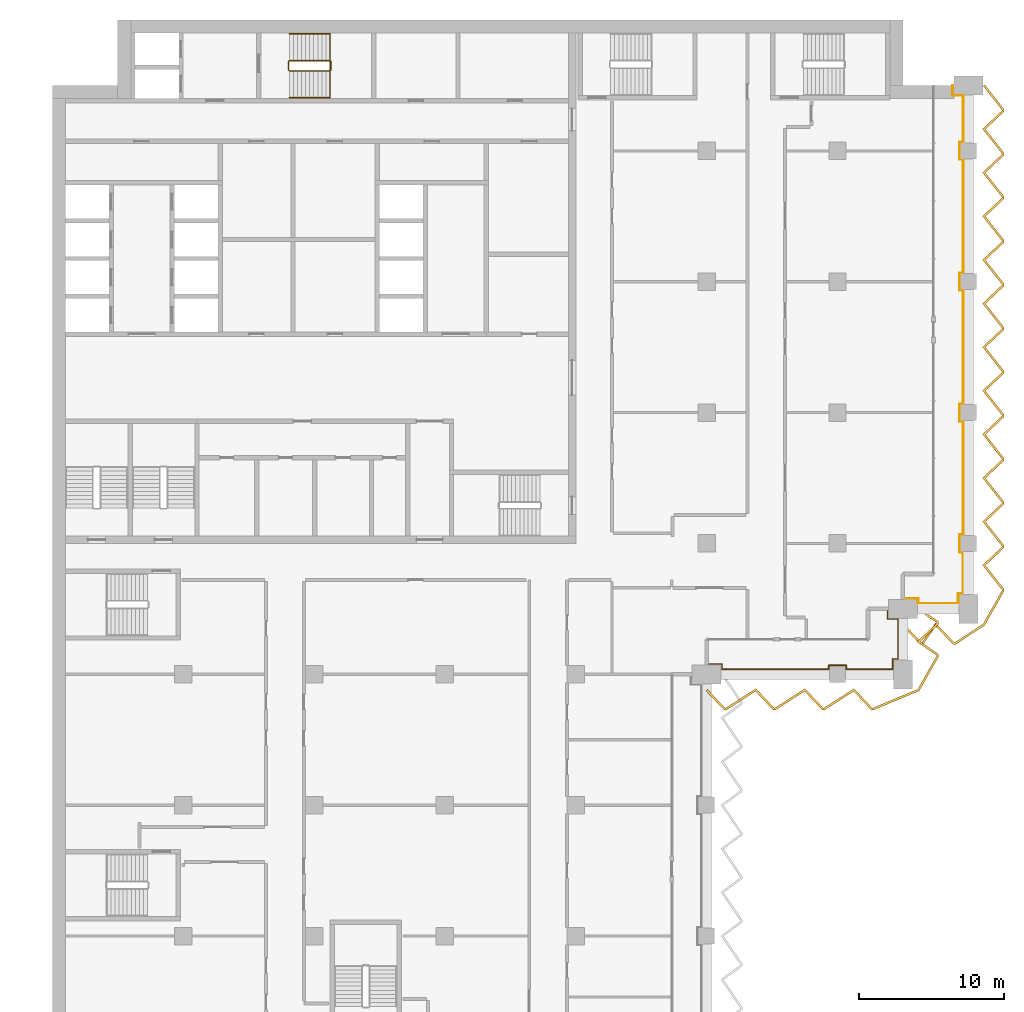
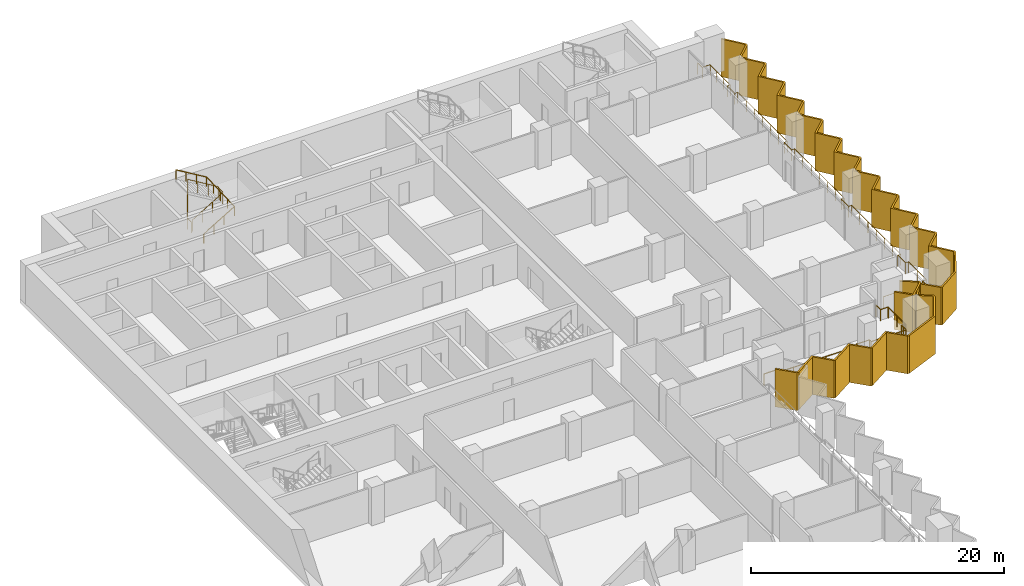
# One storey, part 21 of 22: 4 railings, 2 shading devices.
"""IFC4 building model written with IfcOpenShell, lengths in metres."""

from ifc_helpers import new_model, si_unit, direction, frame, origin, origin_2d, place, context, subcontext, project, spatial, polyline, circle, outline, extrude, material, layer, layer_set, type_object, element, save


model = new_model("IFC4")

# Units and contexts
model_context = context("Model", 3, precision=1e-05, world=origin(), true_north=direction((0.0, 1.0)))
body_context = subcontext(model_context, "Body", "Model", "MODEL_VIEW")
ifc_project = project(units=[si_unit("LENGTHUNIT", "METRE"), si_unit("AREAUNIT", "SQUARE_METRE"), si_unit("VOLUMEUNIT", "CUBIC_METRE"), si_unit("PLANEANGLEUNIT", "RADIAN"), si_unit("MASSUNIT", "GRAM", prefix="KILO")], contexts=[model_context])

# Site, building, storey
site_placement = place(None, origin())
site = spatial("IfcSite", under=ifc_project, at=site_placement, CompositionType="ELEMENT")
building_placement = place(site_placement, origin())
building = spatial("IfcBuilding", under=site, at=building_placement, Name="Hunhe Ridgeline Campus", CompositionType="ELEMENT")
storey_placement = place(building_placement, frame((0.0, 0.0, 141.199951171875)))
storey = spatial("IfcBuildingStorey", under=building, at=storey_placement, Name="L35", CompositionType="ELEMENT", Elevation=141.199951171875)

# Railings
ifc_material_1 = material(Name="Steel Q355", Category="steel")
railing_type_1 = type_object("IfcRailingType", Name="Loggia guard 1100 Steel Q355", PredefinedType="GUARDRAIL", material=ifc_material_1)
railing_1_placement = place(storey_placement, frame((45.0, 54.719970703125, 0.0)))
element("IfcRailing", 1, at=railing_1_placement, inside=storey, type_object=railing_type_1, Name="Loggia guard 2", PredefinedType="GUARDRAIL", context=body_context, shape_type="SweptSolid", body=[
    extrude(circle(Radius=0.02392578125, at=origin_2d()), frame((0.0, 0.0, 1.076171875), z_axis=(1.0, 0.0, 0.0), x_axis=(0.0, 1.0, 0.0)), (0.0, 0.0, 1.0), 1.050048828125),
    extrude(circle(Radius=0.02392578125, at=origin_2d()), frame((1.050048828125, 0.0, 1.076171875), z_axis=(0.0, -1.0, 0.0), x_axis=(1.0, 0.0, 0.0)), (0.0, 0.0, 1.0), 0.369873046875),
    extrude(circle(Radius=0.02392578125, at=origin_2d()), frame((1.050048828125, -0.369873046875, 1.076171875), z_axis=(1.0, 0.0, 0.0), x_axis=(0.0, 1.0, 0.0)), (0.0, 0.0, 1.0), 7.349853515625),
    extrude(circle(Radius=0.02392578125, at=origin_2d()), frame((8.39990234375, -0.369873046875, 1.076171875), z_axis=(0.0, 1.0, 0.0), x_axis=(-1.0, 0.0, 0.0)), (0.0, 0.0, 1.0), 0.27001953125),
    extrude(circle(Radius=0.02392578125, at=origin_2d()), frame((8.39990234375, -0.099853515625, 1.076171875), z_axis=(1.0, 0.0, 0.0), x_axis=(0.0, 1.0, 0.0)), (0.0, 0.0, 1.0), 1.2001953125),
    extrude(circle(Radius=0.02392578125, at=origin_2d()), frame((9.60009765625, -0.099853515625, 1.076171875), z_axis=(0.0, -1.0, 0.0), x_axis=(1.0, 0.0, 0.0)), (0.0, 0.0, 1.0), 0.27001953125),
    extrude(circle(Radius=0.02392578125, at=origin_2d()), frame((9.60009765625, -0.369873046875, 1.076171875), z_axis=(1.0, 0.0, 0.0), x_axis=(0.0, 1.0, 0.0)), (0.0, 0.0, 1.0), 3.199951171875),
    extrude(circle(Radius=0.02392578125, at=origin_2d()), frame((12.800048828125, -0.369873046875, 1.076171875), z_axis=(0.0, 1.0, 0.0), x_axis=(-1.0, 0.0, 0.0)), (0.0, 0.0, 1.0), 0.719970703125),
    extrude(circle(Radius=0.02392578125, at=origin_2d()), frame((12.800048828125, 0.35009765625, 1.076171875), z_axis=(-0.057089444596, -0.998369067688, 0.0), x_axis=(0.998369067688, -0.057089444596, 0.0)), (0.0, 0.0, 1.0), 0.3505859375),
    extrude(circle(Radius=0.02392578125, at=origin_2d()), frame((12.780029296875, 0.0, 1.076171875), z_axis=(0.0, 1.0, 0.0), x_axis=(-1.0, 0.0, 0.0)), (0.0, 0.0, 1.0), 0.330078125),
    extrude(circle(Radius=0.02392578125, at=origin_2d()), frame((12.780029296875, 0.330078125, 1.076171875), z_axis=(1.0, 0.0, 0.0), x_axis=(0.0, 1.0, 0.0)), (0.0, 0.0, 1.0), 0.369873046875),
    extrude(circle(Radius=0.02392578125, at=origin_2d()), frame((13.14990234375, 0.330078125, 1.076171875), z_axis=(0.0, 1.0, 0.0), x_axis=(-1.0, 0.0, 0.0)), (0.0, 0.0, 1.0), 2.75),
    extrude(circle(Radius=0.02392578125, at=origin_2d()), frame((13.14990234375, 3.080078125, 1.076171875), z_axis=(-1.0, 0.0, 0.0), x_axis=(0.0, -1.0, 0.0)), (0.0, 0.0, 1.0), 0.719970703125),
    extrude(circle(Radius=0.02392578125, at=origin_2d()), frame((12.429931640625, 3.080078125, 1.076171875), z_axis=(0.0, 1.0, 0.0), x_axis=(-1.0, 0.0, 0.0)), (0.0, 0.0, 1.0), 0.699951171875),
    extrude(circle(Radius=0.02099609375, at=origin_2d()), origin(), (0.0, 0.0, 1.0), 1.052001953125),
    extrude(circle(Radius=0.02099609375, at=origin_2d()), frame((1.050048828125, 0.0, 0.0)), (0.0, 0.0, 1.0), 1.052001953125),
    extrude(circle(Radius=0.02099609375, at=origin_2d()), frame((1.050048828125, -0.369873046875, 0.0)), (0.0, 0.0, 1.0), 1.052001953125),
    extrude(circle(Radius=0.02099609375, at=origin_2d()), frame((2.52001953125, -0.369873046875, 0.0)), (0.0, 0.0, 1.0), 1.052001953125),
    extrude(circle(Radius=0.02099609375, at=origin_2d()), frame((3.989990234375, -0.369873046875, 0.0)), (0.0, 0.0, 1.0), 1.052001953125),
    extrude(circle(Radius=0.02099609375, at=origin_2d()), frame((5.4599609375, -0.369873046875, 0.0)), (0.0, 0.0, 1.0), 1.052001953125),
    extrude(circle(Radius=0.02099609375, at=origin_2d()), frame((6.929931640625, -0.369873046875, 0.0)), (0.0, 0.0, 1.0), 1.052001953125),
    extrude(circle(Radius=0.02099609375, at=origin_2d()), frame((8.39990234375, -0.369873046875, 0.0)), (0.0, 0.0, 1.0), 1.052001953125),
    extrude(circle(Radius=0.02099609375, at=origin_2d()), frame((8.39990234375, -0.099853515625, 0.0)), (0.0, 0.0, 1.0), 1.052001953125),
    extrude(circle(Radius=0.02099609375, at=origin_2d()), frame((9.60009765625, -0.099853515625, 0.0)), (0.0, 0.0, 1.0), 1.052001953125),
    extrude(circle(Radius=0.02099609375, at=origin_2d()), frame((9.60009765625, -0.369873046875, 0.0)), (0.0, 0.0, 1.0), 1.052001953125),
    extrude(circle(Radius=0.02099609375, at=origin_2d()), frame((10.666748046875, -0.369873046875, 0.0)), (0.0, 0.0, 1.0), 1.052001953125),
    extrude(circle(Radius=0.02099609375, at=origin_2d()), frame((11.7333984375, -0.369873046875, 0.0)), (0.0, 0.0, 1.0), 1.052001953125),
    extrude(circle(Radius=0.02099609375, at=origin_2d()), frame((12.800048828125, -0.369873046875, 0.0)), (0.0, 0.0, 1.0), 1.052001953125),
    extrude(circle(Radius=0.02099609375, at=origin_2d()), frame((12.800048828125, 0.35009765625, 0.0)), (0.0, 0.0, 1.0), 1.052001953125),
    extrude(circle(Radius=0.02099609375, at=origin_2d()), frame((12.780029296875, 0.0, 0.0)), (0.0, 0.0, 1.0), 1.052001953125),
    extrude(circle(Radius=0.02099609375, at=origin_2d()), frame((12.780029296875, 0.330078125, 0.0)), (0.0, 0.0, 1.0), 1.052001953125),
    extrude(circle(Radius=0.02099609375, at=origin_2d()), frame((13.14990234375, 0.330078125, 0.0)), (0.0, 0.0, 1.0), 1.052001953125),
    extrude(circle(Radius=0.02099609375, at=origin_2d()), frame((13.14990234375, 1.705078125, 0.0)), (0.0, 0.0, 1.0), 1.052001953125),
    extrude(circle(Radius=0.02099609375, at=origin_2d()), frame((13.14990234375, 3.080078125, 0.0)), (0.0, 0.0, 1.0), 1.052001953125),
    extrude(circle(Radius=0.02099609375, at=origin_2d()), frame((12.429931640625, 3.080078125, 0.0)), (0.0, 0.0, 1.0), 1.052001953125),
    extrude(circle(Radius=0.02099609375, at=origin_2d()), frame((12.429931640625, 3.780029296875, 0.0)), (0.0, 0.0, 1.0), 1.052001953125),
])
railing_2_placement = place(storey_placement, frame((58.5, 59.219970703125, 0.0)))
element("IfcRailing", 2, at=railing_2_placement, inside=storey, type_object=railing_type_1, Name="Loggia guard 3", PredefinedType="GUARDRAIL", context=body_context, shape_type="SweptSolid", body=[
    extrude(circle(Radius=0.02392578125, at=origin_2d()), frame((0.0, 0.0, 1.076171875), z_axis=(1.0, 0.0, 0.0), x_axis=(0.0, 1.0, 0.0)), (0.0, 0.0, 1.0), 1.050048828125),
    extrude(circle(Radius=0.02392578125, at=origin_2d()), frame((1.050048828125, 0.0, 1.076171875), z_axis=(0.0, -1.0, 0.0), x_axis=(1.0, 0.0, 0.0)), (0.0, 0.0, 1.0), 0.369873046875),
    extrude(circle(Radius=0.02392578125, at=origin_2d()), frame((1.050048828125, -0.369873046875, 1.076171875), z_axis=(1.0, 0.0, 0.0), x_axis=(0.0, 1.0, 0.0)), (0.0, 0.0, 1.0), 2.75),
    extrude(circle(Radius=0.02392578125, at=origin_2d()), frame((3.800048828125, -0.369873046875, 1.076171875), z_axis=(0.0, 1.0, 0.0), x_axis=(-1.0, 0.0, 0.0)), (0.0, 0.0, 1.0), 0.719970703125),
    extrude(circle(Radius=0.02392578125, at=origin_2d()), frame((3.800048828125, 0.35009765625, 1.076171875), z_axis=(-0.057089444596, -0.998369067688, 0.0), x_axis=(0.998369067688, -0.057089444596, 0.0)), (0.0, 0.0, 1.0), 0.3505859375),
    extrude(circle(Radius=0.02392578125, at=origin_2d()), frame((3.780029296875, 0.0, 1.076171875), z_axis=(0.0, 1.0, 0.0), x_axis=(-1.0, 0.0, 0.0)), (0.0, 0.0, 1.0), 0.330078125),
    extrude(circle(Radius=0.02392578125, at=origin_2d()), frame((3.780029296875, 0.330078125, 1.076171875), z_axis=(1.0, 0.0, 0.0), x_axis=(0.0, 1.0, 0.0)), (0.0, 0.0, 1.0), 0.369873046875),
    extrude(circle(Radius=0.02392578125, at=origin_2d()), frame((4.14990234375, 0.330078125, 1.076171875), z_axis=(0.0, 1.0, 0.0), x_axis=(-1.0, 0.0, 0.0)), (0.0, 0.0, 1.0), 2.849853515625),
    extrude(circle(Radius=0.02392578125, at=origin_2d()), frame((4.14990234375, 3.179931640625, 1.076171875), z_axis=(-1.0, 0.0, 0.0), x_axis=(0.0, -1.0, 0.0)), (0.0, 0.0, 1.0), 0.27001953125),
    extrude(circle(Radius=0.02392578125, at=origin_2d()), frame((3.8798828125, 3.179931640625, 1.076171875), z_axis=(0.0, 1.0, 0.0), x_axis=(-1.0, 0.0, 0.0)), (0.0, 0.0, 1.0), 1.2001953125),
    extrude(circle(Radius=0.02392578125, at=origin_2d()), frame((3.8798828125, 4.380126953125, 1.076171875), z_axis=(1.0, 0.0, 0.0), x_axis=(0.0, 1.0, 0.0)), (0.0, 0.0, 1.0), 0.27001953125),
    extrude(circle(Radius=0.02392578125, at=origin_2d()), frame((4.14990234375, 4.380126953125, 1.076171875), z_axis=(0.0, 1.0, 0.0), x_axis=(-1.0, 0.0, 0.0)), (0.0, 0.0, 1.0), 7.7998046875),
    extrude(circle(Radius=0.02392578125, at=origin_2d()), frame((4.14990234375, 12.179931640625, 1.076171875), z_axis=(-1.0, 0.0, 0.0), x_axis=(0.0, -1.0, 0.0)), (0.0, 0.0, 1.0), 0.27001953125),
    extrude(circle(Radius=0.02392578125, at=origin_2d()), frame((3.8798828125, 12.179931640625, 1.076171875), z_axis=(0.0, 1.0, 0.0), x_axis=(-1.0, 0.0, 0.0)), (0.0, 0.0, 1.0), 1.2001953125),
    extrude(circle(Radius=0.02392578125, at=origin_2d()), frame((3.8798828125, 13.380126953125, 1.076171875), z_axis=(1.0, 0.0, 0.0), x_axis=(0.0, 1.0, 0.0)), (0.0, 0.0, 1.0), 0.27001953125),
    extrude(circle(Radius=0.02392578125, at=origin_2d()), frame((4.14990234375, 13.380126953125, 1.076171875), z_axis=(0.0, 1.0, 0.0), x_axis=(-1.0, 0.0, 0.0)), (0.0, 0.0, 1.0), 7.7998046875),
    extrude(circle(Radius=0.02392578125, at=origin_2d()), frame((4.14990234375, 21.179931640625, 1.076171875), z_axis=(-1.0, 0.0, 0.0), x_axis=(0.0, -1.0, 0.0)), (0.0, 0.0, 1.0), 0.27001953125),
    extrude(circle(Radius=0.02392578125, at=origin_2d()), frame((3.8798828125, 21.179931640625, 1.076171875), z_axis=(0.0, 1.0, 0.0), x_axis=(-1.0, 0.0, 0.0)), (0.0, 0.0, 1.0), 1.2001953125),
    extrude(circle(Radius=0.02392578125, at=origin_2d()), frame((3.8798828125, 22.380126953125, 1.076171875), z_axis=(1.0, 0.0, 0.0), x_axis=(0.0, 1.0, 0.0)), (0.0, 0.0, 1.0), 0.27001953125),
    extrude(circle(Radius=0.02392578125, at=origin_2d()), frame((4.14990234375, 22.380126953125, 1.076171875), z_axis=(0.0, 1.0, 0.0), x_axis=(-1.0, 0.0, 0.0)), (0.0, 0.0, 1.0), 7.7998046875),
    extrude(circle(Radius=0.02392578125, at=origin_2d()), frame((4.14990234375, 30.179931640625, 1.076171875), z_axis=(-1.0, 0.0, 0.0), x_axis=(0.0, -1.0, 0.0)), (0.0, 0.0, 1.0), 0.27001953125),
    extrude(circle(Radius=0.02392578125, at=origin_2d()), frame((3.8798828125, 30.179931640625, 1.076171875), z_axis=(0.0, 1.0, 0.0), x_axis=(-1.0, 0.0, 0.0)), (0.0, 0.0, 1.0), 1.2001953125),
    extrude(circle(Radius=0.02392578125, at=origin_2d()), frame((3.8798828125, 31.380126953125, 1.076171875), z_axis=(1.0, 0.0, 0.0), x_axis=(0.0, 1.0, 0.0)), (0.0, 0.0, 1.0), 0.27001953125),
    extrude(circle(Radius=0.02392578125, at=origin_2d()), frame((4.14990234375, 31.380126953125, 1.076171875), z_axis=(0.0, 1.0, 0.0), x_axis=(-1.0, 0.0, 0.0)), (0.0, 0.0, 1.0), 3.199951171875),
    extrude(circle(Radius=0.02392578125, at=origin_2d()), frame((4.14990234375, 34.580078125, 1.076171875), z_axis=(-1.0, 0.0, 0.0), x_axis=(0.0, -1.0, 0.0)), (0.0, 0.0, 1.0), 0.719970703125),
    extrude(circle(Radius=0.02392578125, at=origin_2d()), frame((3.429931640625, 34.580078125, 1.076171875), z_axis=(0.0, 1.0, 0.0), x_axis=(-1.0, 0.0, 0.0)), (0.0, 0.0, 1.0), 0.699951171875),
    extrude(circle(Radius=0.02099609375, at=origin_2d()), origin(), (0.0, 0.0, 1.0), 1.052001953125),
    extrude(circle(Radius=0.02099609375, at=origin_2d()), frame((1.050048828125, 0.0, 0.0)), (0.0, 0.0, 1.0), 1.052001953125),
    extrude(circle(Radius=0.02099609375, at=origin_2d()), frame((1.050048828125, -0.369873046875, 0.0)), (0.0, 0.0, 1.0), 1.052001953125),
    extrude(circle(Radius=0.02099609375, at=origin_2d()), frame((2.425048828125, -0.369873046875, 0.0)), (0.0, 0.0, 1.0), 1.052001953125),
    extrude(circle(Radius=0.02099609375, at=origin_2d()), frame((3.800048828125, -0.369873046875, 0.0)), (0.0, 0.0, 1.0), 1.052001953125),
    extrude(circle(Radius=0.02099609375, at=origin_2d()), frame((3.800048828125, 0.35009765625, 0.0)), (0.0, 0.0, 1.0), 1.052001953125),
    extrude(circle(Radius=0.02099609375, at=origin_2d()), frame((3.780029296875, 0.0, 0.0)), (0.0, 0.0, 1.0), 1.052001953125),
    extrude(circle(Radius=0.02099609375, at=origin_2d()), frame((3.780029296875, 0.330078125, 0.0)), (0.0, 0.0, 1.0), 1.052001953125),
    extrude(circle(Radius=0.02099609375, at=origin_2d()), frame((4.14990234375, 0.330078125, 0.0)), (0.0, 0.0, 1.0), 1.052001953125),
    extrude(circle(Radius=0.02099609375, at=origin_2d()), frame((4.14990234375, 1.7548828125, 0.0)), (0.0, 0.0, 1.0), 1.052001953125),
    extrude(circle(Radius=0.02099609375, at=origin_2d()), frame((4.14990234375, 3.179931640625, 0.0)), (0.0, 0.0, 1.0), 1.052001953125),
    extrude(circle(Radius=0.02099609375, at=origin_2d()), frame((3.8798828125, 3.179931640625, 0.0)), (0.0, 0.0, 1.0), 1.052001953125),
    extrude(circle(Radius=0.02099609375, at=origin_2d()), frame((3.8798828125, 4.380126953125, 0.0)), (0.0, 0.0, 1.0), 1.052001953125),
    extrude(circle(Radius=0.02099609375, at=origin_2d()), frame((4.14990234375, 4.380126953125, 0.0)), (0.0, 0.0, 1.0), 1.052001953125),
    extrude(circle(Radius=0.02099609375, at=origin_2d()), frame((4.14990234375, 5.68017578125, 0.0)), (0.0, 0.0, 1.0), 1.052001953125),
    extrude(circle(Radius=0.02099609375, at=origin_2d()), frame((4.14990234375, 6.97998046875, 0.0)), (0.0, 0.0, 1.0), 1.052001953125),
    extrude(circle(Radius=0.02099609375, at=origin_2d()), frame((4.14990234375, 8.280029296875, 0.0)), (0.0, 0.0, 1.0), 1.052001953125),
    extrude(circle(Radius=0.02099609375, at=origin_2d()), frame((4.14990234375, 9.580078125, 0.0)), (0.0, 0.0, 1.0), 1.052001953125),
    extrude(circle(Radius=0.02099609375, at=origin_2d()), frame((4.14990234375, 10.8798828125, 0.0)), (0.0, 0.0, 1.0), 1.052001953125),
    extrude(circle(Radius=0.02099609375, at=origin_2d()), frame((4.14990234375, 12.179931640625, 0.0)), (0.0, 0.0, 1.0), 1.052001953125),
    extrude(circle(Radius=0.02099609375, at=origin_2d()), frame((3.8798828125, 12.179931640625, 0.0)), (0.0, 0.0, 1.0), 1.052001953125),
    extrude(circle(Radius=0.02099609375, at=origin_2d()), frame((3.8798828125, 13.380126953125, 0.0)), (0.0, 0.0, 1.0), 1.052001953125),
    extrude(circle(Radius=0.02099609375, at=origin_2d()), frame((4.14990234375, 13.380126953125, 0.0)), (0.0, 0.0, 1.0), 1.052001953125),
    extrude(circle(Radius=0.02099609375, at=origin_2d()), frame((4.14990234375, 14.68017578125, 0.0)), (0.0, 0.0, 1.0), 1.052001953125),
    extrude(circle(Radius=0.02099609375, at=origin_2d()), frame((4.14990234375, 15.97998046875, 0.0)), (0.0, 0.0, 1.0), 1.052001953125),
    extrude(circle(Radius=0.02099609375, at=origin_2d()), frame((4.14990234375, 17.280029296875, 0.0)), (0.0, 0.0, 1.0), 1.052001953125),
    extrude(circle(Radius=0.02099609375, at=origin_2d()), frame((4.14990234375, 18.580078125, 0.0)), (0.0, 0.0, 1.0), 1.052001953125),
    extrude(circle(Radius=0.02099609375, at=origin_2d()), frame((4.14990234375, 19.8798828125, 0.0)), (0.0, 0.0, 1.0), 1.052001953125),
    extrude(circle(Radius=0.02099609375, at=origin_2d()), frame((4.14990234375, 21.179931640625, 0.0)), (0.0, 0.0, 1.0), 1.052001953125),
    extrude(circle(Radius=0.02099609375, at=origin_2d()), frame((3.8798828125, 21.179931640625, 0.0)), (0.0, 0.0, 1.0), 1.052001953125),
    extrude(circle(Radius=0.02099609375, at=origin_2d()), frame((3.8798828125, 22.380126953125, 0.0)), (0.0, 0.0, 1.0), 1.052001953125),
    extrude(circle(Radius=0.02099609375, at=origin_2d()), frame((4.14990234375, 22.380126953125, 0.0)), (0.0, 0.0, 1.0), 1.052001953125),
    extrude(circle(Radius=0.02099609375, at=origin_2d()), frame((4.14990234375, 23.68017578125, 0.0)), (0.0, 0.0, 1.0), 1.052001953125),
    extrude(circle(Radius=0.02099609375, at=origin_2d()), frame((4.14990234375, 24.97998046875, 0.0)), (0.0, 0.0, 1.0), 1.052001953125),
    extrude(circle(Radius=0.02099609375, at=origin_2d()), frame((4.14990234375, 26.280029296875, 0.0)), (0.0, 0.0, 1.0), 1.052001953125),
    extrude(circle(Radius=0.02099609375, at=origin_2d()), frame((4.14990234375, 27.580078125, 0.0)), (0.0, 0.0, 1.0), 1.052001953125),
    extrude(circle(Radius=0.02099609375, at=origin_2d()), frame((4.14990234375, 28.8798828125, 0.0)), (0.0, 0.0, 1.0), 1.052001953125),
    extrude(circle(Radius=0.02099609375, at=origin_2d()), frame((4.14990234375, 30.179931640625, 0.0)), (0.0, 0.0, 1.0), 1.052001953125),
    extrude(circle(Radius=0.02099609375, at=origin_2d()), frame((3.8798828125, 30.179931640625, 0.0)), (0.0, 0.0, 1.0), 1.052001953125),
    extrude(circle(Radius=0.02099609375, at=origin_2d()), frame((3.8798828125, 31.380126953125, 0.0)), (0.0, 0.0, 1.0), 1.052001953125),
    extrude(circle(Radius=0.02099609375, at=origin_2d()), frame((4.14990234375, 31.380126953125, 0.0)), (0.0, 0.0, 1.0), 1.052001953125),
    extrude(circle(Radius=0.02099609375, at=origin_2d()), frame((4.14990234375, 32.44677734375, 0.0)), (0.0, 0.0, 1.0), 1.052001953125),
    extrude(circle(Radius=0.02099609375, at=origin_2d()), frame((4.14990234375, 33.513427734375, 0.0)), (0.0, 0.0, 1.0), 1.052001953125),
    extrude(circle(Radius=0.02099609375, at=origin_2d()), frame((4.14990234375, 34.580078125, 0.0)), (0.0, 0.0, 1.0), 1.052001953125),
    extrude(circle(Radius=0.02099609375, at=origin_2d()), frame((3.429931640625, 34.580078125, 0.0)), (0.0, 0.0, 1.0), 1.052001953125),
    extrude(circle(Radius=0.02099609375, at=origin_2d()), frame((3.429931640625, 35.280029296875, 0.0)), (0.0, 0.0, 1.0), 1.052001953125),
])

# Shading devices
ifc_material_2 = material(Name="Concrete C50", Category="concrete")
ifc_layer = layer(ifc_material_2, 0.14990234375)
ifc_layer_set = layer_set([ifc_layer], Name="Sawtooth concrete fin 150 Concrete C50")
shading_device_type = type_object("IfcShadingDeviceType", Name="Sawtooth concrete fin 150 Concrete C50", PredefinedType="USERDEFINED", material=ifc_layer_set)
shading_device_1_placement = place(storey_placement, frame((0.0, 0.0, -0.949951171875)))
element("IfcShadingDevice", 3, at=shading_device_1_placement, inside=storey, type_object=shading_device_type, Name="Concrete fin screen 2", ObjectType="FIN", PredefinedType="USERDEFINED", context=body_context, shape_type="SweptSolid", body=[
    extrude(outline(polyline([(45.054443359375, 52.9765625), (44.945556640625, 52.87353515625), (46.19384765625, 51.550048828125), (46.3681640625, 51.550048828125), (48.363037109375, 52.828369140625), (49.56884765625, 51.550048828125), (49.7431640625, 51.550048828125), (51.738037109375, 52.828369140625), (52.94384765625, 51.550048828125), (53.1181640625, 51.550048828125), (55.113037109375, 52.828369140625), (56.31884765625, 51.550048828125), (56.486083984375, 51.550048828125), (59.627685546875, 52.86572265625), (60.949951171875, 55.206298828125), (60.949951171875, 55.38525390625), (59.693603515625, 56.2587890625), (60.949951171875, 57.44384765625), (60.949951171875, 57.63525390625), (59.617919921875, 58.5615234375), (59.5322265625, 58.4384765625), (60.800048828125, 57.556884765625), (60.800048828125, 57.508544921875), (59.456298828125, 56.2412109375), (60.800048828125, 55.306884765625), (60.800048828125, 55.245849609375), (59.522216796875, 52.984375), (56.4560546875, 51.699951171875), (56.383544921875, 51.699951171875), (55.136962890625, 53.021728515625), (53.07421875, 51.699951171875), (53.008544921875, 51.699951171875), (51.761962890625, 53.021728515625), (49.69921875, 51.699951171875), (49.633544921875, 51.699951171875), (48.386962890625, 53.021728515625), (46.32421875, 51.699951171875), (46.258544921875, 51.699951171875), (45.054443359375, 52.9765625)])), origin(), (0.0, 0.0, 1.0), 3.64990234375),
])
shading_device_2_placement = place(storey_placement, frame((0.0, 0.0, -0.949951171875)))
element("IfcShadingDevice", 4, at=shading_device_2_placement, inside=storey, type_object=shading_device_type, Name="Concrete fin screen 3", ObjectType="FIN", PredefinedType="USERDEFINED", context=body_context, shape_type="SweptSolid", body=[
    extrude(outline(polyline([(58.554443359375, 57.4765625), (58.445556640625, 57.37353515625), (59.69384765625, 56.050048828125), (59.88525390625, 56.050048828125), (60.7587890625, 57.306396484375), (61.94384765625, 56.050048828125), (62.11865234375, 56.050048828125), (64.13134765625, 57.372314453125), (65.449951171875, 59.706298828125), (65.449951171875, 59.8720703125), (64.17626953125, 61.492431640625), (65.449951171875, 62.69384765625), (65.449951171875, 62.8720703125), (64.17626953125, 64.492431640625), (65.449951171875, 65.69384765625), (65.449951171875, 65.8720703125), (64.17626953125, 67.492431640625), (65.449951171875, 68.69384765625), (65.449951171875, 68.8720703125), (64.17626953125, 70.492431640625), (65.449951171875, 71.69384765625), (65.449951171875, 71.8720703125), (64.17626953125, 73.492431640625), (65.449951171875, 74.69384765625), (65.449951171875, 74.8720703125), (64.17626953125, 76.492431640625), (65.449951171875, 77.69384765625), (65.449951171875, 77.8720703125), (64.17626953125, 79.492431640625), (65.449951171875, 80.69384765625), (65.449951171875, 80.8720703125), (64.17626953125, 82.492431640625), (65.449951171875, 83.69384765625), (65.449951171875, 83.8720703125), (64.17626953125, 85.492431640625), (65.449951171875, 86.69384765625), (65.449951171875, 86.8720703125), (64.17626953125, 88.492431640625), (65.449951171875, 89.69384765625), (65.449951171875, 89.8720703125), (64.17626953125, 91.492431640625), (65.449951171875, 92.69384765625), (65.449951171875, 92.8720703125), (64.134033203125, 94.54638671875), (64.01611328125, 94.45361328125), (65.300048828125, 92.820068359375), (65.300048828125, 92.758544921875), (63.9736328125, 91.507568359375), (65.300048828125, 89.820068359375), (65.300048828125, 89.758544921875), (63.9736328125, 88.507568359375), (65.300048828125, 86.820068359375), (65.300048828125, 86.758544921875), (63.9736328125, 85.507568359375), (65.300048828125, 83.820068359375), (65.300048828125, 83.758544921875), (63.9736328125, 82.507568359375), (65.300048828125, 80.820068359375), (65.300048828125, 80.758544921875), (63.9736328125, 79.507568359375), (65.300048828125, 77.820068359375), (65.300048828125, 77.758544921875), (63.9736328125, 76.507568359375), (65.300048828125, 74.820068359375), (65.300048828125, 74.758544921875), (63.9736328125, 73.507568359375), (65.300048828125, 71.820068359375), (65.300048828125, 71.758544921875), (63.9736328125, 70.507568359375), (65.300048828125, 68.820068359375), (65.300048828125, 68.758544921875), (63.9736328125, 67.507568359375), (65.300048828125, 65.820068359375), (65.300048828125, 65.758544921875), (63.9736328125, 64.507568359375), (65.300048828125, 62.820068359375), (65.300048828125, 62.758544921875), (63.9736328125, 61.507568359375), (65.300048828125, 59.820068359375), (65.300048828125, 59.745849609375), (64.0185546875, 57.477783203125), (62.07373046875, 56.199951171875), (62.008544921875, 56.199951171875), (60.7412109375, 57.543701171875), (59.806884765625, 56.199951171875), (59.758544921875, 56.199951171875), (58.554443359375, 57.4765625)])), origin(), (0.0, 0.0, 1.0), 3.64990234375),
])

# Railings
ifc_material_3 = material(Name="Stainless steel balustrade", Category="steel")
railing_type_2 = type_object("IfcRailingType", Name="Stair guard 1100 stainless", PredefinedType="GUARDRAIL", material=ifc_material_3)
railing_3_placement = place(storey_placement, frame((16.300048828125, 95.5, 0.168212890625)))
element("IfcRailing", 5, at=railing_3_placement, inside=storey, type_object=railing_type_2, Name="L35 stair S1 guard", PredefinedType="GUARDRAIL", context=body_context, shape_type="SweptSolid", body=[
    extrude(circle(Radius=0.02392578125, at=origin_2d()), frame((0.0, 0.0, 1.076171875), z_axis=(0.857242210791, 0.0, 0.514913383045), x_axis=(0.0, 1.0, 0.0)), (0.0, 0.0, 1.0), 3.266357421875),
    extrude(circle(Radius=0.02392578125, at=origin_2d()), frame((2.800048828125, 0.0, 2.7578125), z_axis=(0.705375805398, 0.708833529934, 0.0), x_axis=(-0.708833529934, 0.705375805398, 0.0)), (0.0, 0.0, 1.0), 0.070556640625),
    extrude(circle(Radius=0.02392578125, at=origin_2d()), frame((2.849853515625, 0.050048828125, 2.7578125), z_axis=(0.0, 1.0, 0.0), x_axis=(-1.0, 0.0, 0.0)), (0.0, 0.0, 1.0), 0.599853515625),
    extrude(circle(Radius=0.02392578125, at=origin_2d()), frame((2.849853515625, 0.64990234375, 2.7578125), z_axis=(-0.273006030465, 0.27434429532, 0.922064485248), x_axis=(-0.708833529934, -0.705375805398, 0.0)), (0.0, 0.0, 1.0), 0.182373046875),
    extrude(circle(Radius=0.02392578125, at=origin_2d()), frame((2.800048828125, 0.699951171875, 2.92626953125), z_axis=(-0.857275202839, 0.0, 0.514858452973), x_axis=(0.0, -1.0, 0.0)), (0.0, 0.0, 1.0), 3.26611328125),
    extrude(circle(Radius=0.02392578125, at=origin_2d()), frame((0.0, 0.699951171875, 4.60791015625), z_axis=(-0.013524414389, -0.013524414389, -0.999817073484), x_axis=(0.707106781187, -0.707106781187, 0.0)), (0.0, 0.0, 1.0), 3.70068359375),
    extrude(circle(Radius=0.02392578125, at=origin_2d()), frame((-0.050048828125, 0.64990234375, 0.90771484375), z_axis=(0.0, -1.0, 0.0), x_axis=(1.0, 0.0, 0.0)), (0.0, 0.0, 1.0), 0.599853515625),
    extrude(circle(Radius=0.02099609375, at=origin_2d()), origin(), (0.0, 0.0, 1.0), 1.052001953125),
    extrude(circle(Radius=0.02099609375, at=origin_2d()), frame((0.933349609375, 0.0, 0.560546875)), (0.0, 0.0, 1.0), 1.052001953125),
    extrude(circle(Radius=0.02099609375, at=origin_2d()), frame((1.86669921875, 0.0, 1.121337890625)), (0.0, 0.0, 1.0), 1.052001953125),
    extrude(circle(Radius=0.02099609375, at=origin_2d()), frame((2.800048828125, 0.0, 1.681884765625)), (0.0, 0.0, 1.0), 1.052001953125),
    extrude(circle(Radius=0.02099609375, at=origin_2d()), frame((2.849853515625, 0.050048828125, 1.681884765625)), (0.0, 0.0, 1.0), 1.052001953125),
    extrude(circle(Radius=0.02099609375, at=origin_2d()), frame((2.849853515625, 0.64990234375, 1.681884765625)), (0.0, 0.0, 1.0), 1.052001953125),
    extrude(circle(Radius=0.02099609375, at=origin_2d()), frame((2.800048828125, 0.699951171875, 1.85009765625)), (0.0, 0.0, 1.0), 1.052001953125),
    extrude(circle(Radius=0.02099609375, at=origin_2d()), frame((1.86669921875, 0.699951171875, 2.41064453125)), (0.0, 0.0, 1.0), 1.052001953125),
    extrude(circle(Radius=0.02099609375, at=origin_2d()), frame((0.933349609375, 0.699951171875, 2.97119140625)), (0.0, 0.0, 1.0), 1.052001953125),
    extrude(circle(Radius=0.02099609375, at=origin_2d()), frame((0.0, 0.699951171875, 3.53173828125)), (0.0, 0.0, 1.0), 1.052001953125),
    extrude(circle(Radius=0.02099609375, at=origin_2d()), frame((-0.012451171875, 0.6875, 2.606689453125)), (0.0, 0.0, 1.0), 1.052001953125),
    extrude(circle(Radius=0.02099609375, at=origin_2d()), frame((-0.02490234375, 0.6748046875, 1.681640625)), (0.0, 0.0, 1.0), 1.052001953125),
    extrude(circle(Radius=0.02099609375, at=origin_2d()), frame((-0.03759765625, 0.662353515625, 0.7568359375)), (0.0, 0.0, 1.0), 1.052001953125),
    extrude(circle(Radius=0.02099609375, at=origin_2d()), frame((-0.050048828125, 0.64990234375, -0.168212890625)), (0.0, 0.0, 1.0), 1.052001953125),
    extrude(circle(Radius=0.02099609375, at=origin_2d()), frame((-0.050048828125, 0.050048828125, -0.168212890625)), (0.0, 0.0, 1.0), 1.052001953125),
])
ifc_material_4 = material(Name="Stainless steel handrail", Category="steel")
railing_type_3 = type_object("IfcRailingType", Name="Stair handrail 900 stainless", PredefinedType="HANDRAIL", material=ifc_material_4)
railing_4_placement = place(storey_placement, frame((16.300048828125, 93.64990234375, 0.168212890625)))
element("IfcRailing", 6, at=railing_4_placement, inside=storey, type_object=railing_type_3, Name="L35 stair S1 handrail", PredefinedType="HANDRAIL", context=body_context, shape_type="SweptSolid", body=[
    extrude(circle(Radius=0.02392578125, at=origin_2d()), frame((0.0, 0.0, 0.8759765625), z_axis=(0.857242210791, 0.0, 0.514913383045), x_axis=(0.0, 1.0, 0.0)), (0.0, 0.0, 1.0), 3.266357421875),
    extrude(circle(Radius=0.02392578125, at=origin_2d()), frame((2.800048828125, 0.0, 2.5576171875), z_axis=(0.0, 0.999270074432, 0.038201025428), x_axis=(-1.0, 0.0, 0.0)), (0.0, 0.0, 1.0), 4.4033203125),
    extrude(circle(Radius=0.02392578125, at=origin_2d()), frame((2.800048828125, 4.400146484375, 2.72607421875), z_axis=(-0.857275202839, 0.0, 0.514858452973), x_axis=(0.0, -1.0, 0.0)), (0.0, 0.0, 1.0), 3.26611328125),
    extrude(circle(Radius=0.02099609375, at=origin_2d()), origin(), (0.0, 0.0, 1.0), 0.851806640625),
    extrude(circle(Radius=0.02099609375, at=origin_2d()), frame((0.933349609375, 0.0, 0.560546875)), (0.0, 0.0, 1.0), 0.851806640625),
    extrude(circle(Radius=0.02099609375, at=origin_2d()), frame((1.86669921875, 0.0, 1.121337890625)), (0.0, 0.0, 1.0), 0.851806640625),
    extrude(circle(Radius=0.02099609375, at=origin_2d()), frame((2.800048828125, 0.0, 1.681884765625)), (0.0, 0.0, 1.0), 0.851806640625),
    extrude(circle(Radius=0.02099609375, at=origin_2d()), frame((2.800048828125, 1.10009765625, 1.723876953125)), (0.0, 0.0, 1.0), 0.851806640625),
    extrude(circle(Radius=0.02099609375, at=origin_2d()), frame((2.800048828125, 2.2001953125, 1.76611328125)), (0.0, 0.0, 1.0), 0.851806640625),
    extrude(circle(Radius=0.02099609375, at=origin_2d()), frame((2.800048828125, 3.300048828125, 1.80810546875)), (0.0, 0.0, 1.0), 0.851806640625),
    extrude(circle(Radius=0.02099609375, at=origin_2d()), frame((2.800048828125, 4.400146484375, 1.85009765625)), (0.0, 0.0, 1.0), 0.851806640625),
    extrude(circle(Radius=0.02099609375, at=origin_2d()), frame((1.86669921875, 4.400146484375, 2.41064453125)), (0.0, 0.0, 1.0), 0.851806640625),
    extrude(circle(Radius=0.02099609375, at=origin_2d()), frame((0.933349609375, 4.400146484375, 2.97119140625)), (0.0, 0.0, 1.0), 0.851806640625),
    extrude(circle(Radius=0.02099609375, at=origin_2d()), frame((0.0, 4.400146484375, 3.53173828125)), (0.0, 0.0, 1.0), 0.851806640625),
])

save(model, "model.ifc")
